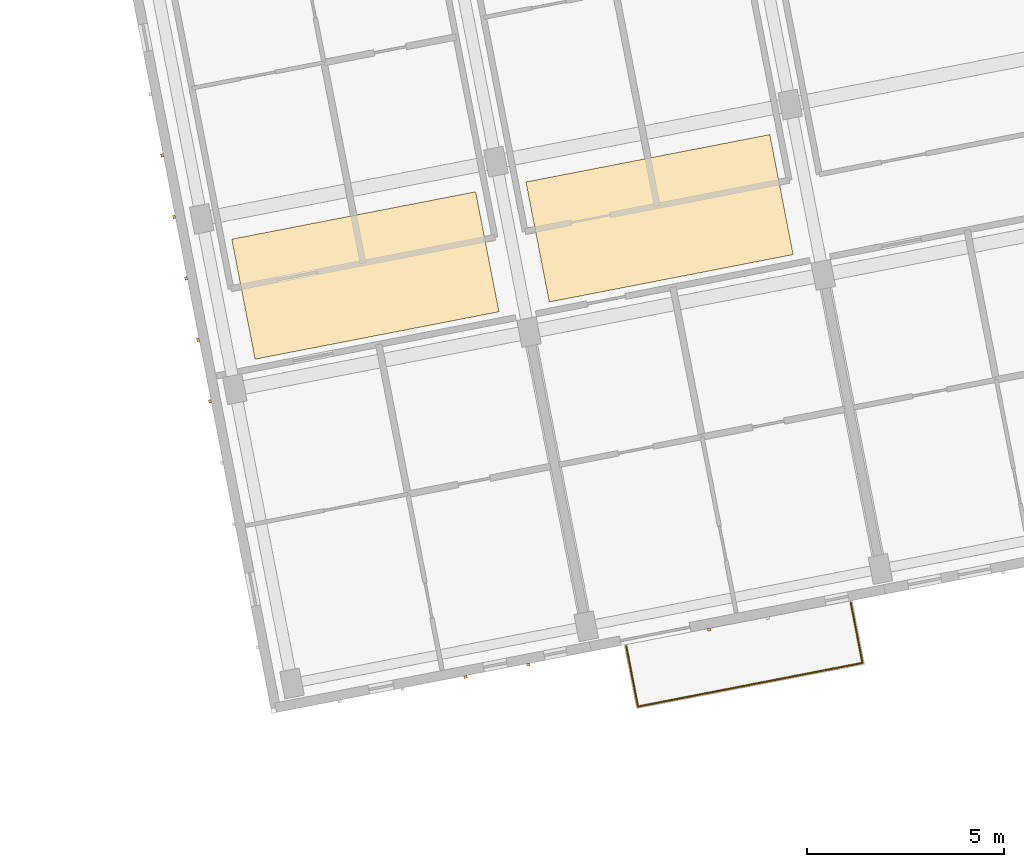
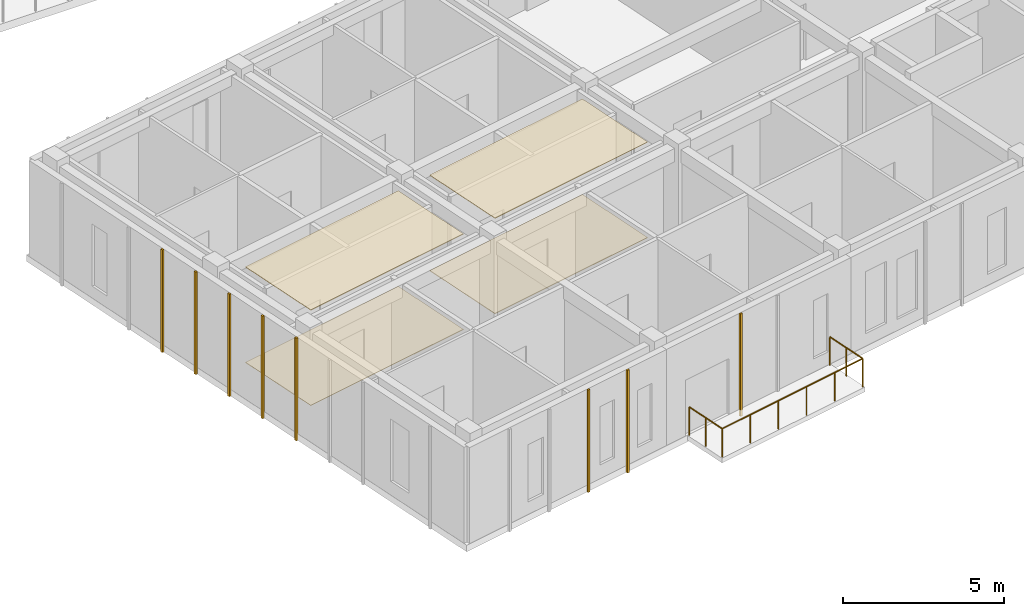
# One storey, part 119 of 150: 12 coverings, 1 railing.
"""IFC4 building model written with IfcOpenShell, lengths in metres."""

from ifc_helpers import new_model, si_unit, direction, frame, origin, origin_2d, place, context, subcontext, project, spatial, polyline, rectangle, circle, outline, extrude, material, layer, layer_set, type_object, element, save


model = new_model("IFC4")

# Units and contexts
model_context = context("Model", 3, precision=1e-05, world=origin(), true_north=direction((0.0, 1.0)))
body_context = subcontext(model_context, "Body", "Model", "MODEL_VIEW")
ifc_project = project(units=[si_unit("LENGTHUNIT", "METRE"), si_unit("AREAUNIT", "SQUARE_METRE"), si_unit("VOLUMEUNIT", "CUBIC_METRE"), si_unit("PLANEANGLEUNIT", "RADIAN"), si_unit("MASSUNIT", "GRAM", prefix="KILO")], contexts=[model_context])

# Site, building, storey
site_placement = place(None, origin())
site = spatial("IfcSite", under=ifc_project, at=site_placement, CompositionType="ELEMENT")
building_placement = place(site_placement, origin())
building = spatial("IfcBuilding", under=site, at=building_placement, Name="Kestramere Prow Commons", CompositionType="ELEMENT")
storey_placement = place(building_placement, frame((0.0, 0.0, 4.5)))
storey = spatial("IfcBuildingStorey", under=building, at=storey_placement, Name="L01", CompositionType="ELEMENT", Elevation=4.5)

# Coverings
ifc_material_1 = material(Name="Mineral Fibre Acoustic Ceiling Tile")
ifc_layer_1 = layer(ifc_material_1, 0.02490234375)
ifc_layer_set_1 = layer_set([ifc_layer_1], Name="Mineral Fibre Acoustic Ceiling Tile")
covering_type_1 = type_object("IfcCoveringType", Name="COV-CEIL-ACOUSTIC", PredefinedType="CEILING", material=ifc_layer_set_1)
covering_1_placement = place(storey_placement, frame((0.0, 0.0, 3.625)))
element("IfcCovering", 1, at=covering_1_placement, inside=storey, type_object=covering_type_1, Name="Block D L01 Corridor Acoustic Ceiling 1", PredefinedType="CEILING", context=body_context, shape_type="SweptSolid", body=[
    extrude(outline(polyline([(117.4638671875, 42.222412109375), (123.648193359375, 43.424560546875), (123.056640625, 46.467529296875), (116.872314453125, 45.265380859375), (117.4638671875, 42.222412109375)])), origin(), (0.0, 0.0, 1.0), 0.02490234375),
])
covering_2_placement = place(storey_placement, frame((0.0, 0.0, 3.625)))
element("IfcCovering", 2, at=covering_2_placement, inside=storey, type_object=covering_type_1, Name="Block D L01 Corridor Acoustic Ceiling 2", PredefinedType="CEILING", context=body_context, shape_type="SweptSolid", body=[
    extrude(outline(polyline([(124.92431640625, 43.672607421875), (131.1083984375, 44.874755859375), (130.51708984375, 47.917724609375), (124.332763671875, 46.715576171875), (124.92431640625, 43.672607421875)])), origin(), (0.0, 0.0, 1.0), 0.02490234375),
])
ifc_material_2 = material(Name="Weathered Zinc-Titanium Standing-Seam Cladding")
ifc_layer_2 = layer(ifc_material_2, 0.074951171875)
ifc_layer_set_2 = layer_set([ifc_layer_2], Name="Weathered Zinc-Titanium Standing-Seam Cladding")
covering_type_2 = type_object("IfcCoveringType", Name="COV-CLAD-SEAM", PredefinedType="CLADDING", material=ifc_layer_set_2)
for number, where, z_axis, x_axis, name in (
    (3, (124.39453125, 34.47509765625, -0.25), (0.0, 0.0, 1.0), (-0.981627183448, -0.190808995377, 0.0), "EW-D-L01-S-0 Standing-Seam Rib 1"),
    (4, (122.79931640625, 34.1650390625, -0.25), (0.0, 0.0, 1.0), (-0.981627183448, -0.190808995377, 0.0), "EW-D-L01-S-0 Standing-Seam Rib 2"),
    (5, (128.973876953125, 35.365234375, -0.25), (0.0, 0.0, 1.0), (-0.981627183448, -0.190808995377, 0.0), "EW-D-L01-S-1 Standing-Seam Rib 3"),
    (6, (116.319580078125, 41.15185546875, -0.25), (0.0, 0.0, 1.0), (-0.190808995377, 0.981627183448, 0.0), "EW-D-L01-EAV Standing-Seam Rib 5"),
    (7, (116.0166015625, 42.7109375, -0.25), (0.0, 0.0, 1.0), (-0.190808995377, 0.981627183448, 0.0), "EW-D-L01-EAV Standing-Seam Rib 6"),
    (8, (115.71337890625, 44.270263671875, -0.25), (0.0, 0.0, 1.0), (-0.190808995377, 0.981627183448, 0.0), "EW-D-L01-EAV Standing-Seam Rib 7"),
    (9, (115.410400390625, 45.82958984375, -0.25), (0.0, 0.0, 1.0), (-0.190808995377, 0.981627183448, 0.0), "EW-D-L01-EAV Standing-Seam Rib 8"),
    (10, (115.107177734375, 47.388916015625, -0.25), (0.0, 0.0, 1.0), (-0.190808995377, 0.981627183448, 0.0), "EW-D-L01-EAV Standing-Seam Rib 9"),
):
    element("IfcCovering", number, at=place(storey_placement, frame(where, z_axis=z_axis, x_axis=x_axis)), inside=storey, type_object=covering_type_2, Name=name, PredefinedType="CLADDING", context=body_context, shape_type="SweptSolid", body=[
        extrude(rectangle(XDim=0.0849609375, YDim=0.06494140625, at=origin_2d()), origin(), (0.0, 0.0, 1.0), 3.89990234375),
    ])
ifc_material_3 = material(Name="Honed Cementitious Terrazzo Tile")
ifc_layer_3 = layer(ifc_material_3, 0.02001953125)
ifc_layer_set_3 = layer_set([ifc_layer_3], Name="Honed Cementitious Terrazzo Tile")
covering_type_3 = type_object("IfcCoveringType", Name="COV-FLOOR-TERRAZZO", PredefinedType="FLOORING", material=ifc_layer_set_3)
covering_3_placement = place(storey_placement, origin())
element("IfcCovering", 11, at=covering_3_placement, inside=storey, type_object=covering_type_3, Name="Block D L01 Corridor Terrazzo Flooring 1", PredefinedType="FLOORING", context=body_context, shape_type="SweptSolid", body=[
    extrude(outline(polyline([(117.4638671875, 42.222412109375), (123.648193359375, 43.424560546875), (123.056640625, 46.467529296875), (116.872314453125, 45.265380859375), (117.4638671875, 42.222412109375)])), origin(), (0.0, 0.0, 1.0), 0.02001953125),
])
covering_4_placement = place(storey_placement, origin())
element("IfcCovering", 12, at=covering_4_placement, inside=storey, type_object=covering_type_3, Name="Block D L01 Corridor Terrazzo Flooring 2", PredefinedType="FLOORING", context=body_context, shape_type="SweptSolid", body=[
    extrude(outline(polyline([(124.92431640625, 43.672607421875), (131.1083984375, 44.874755859375), (130.51708984375, 47.917724609375), (124.332763671875, 46.715576171875), (124.92431640625, 43.672607421875)])), origin(), (0.0, 0.0, 1.0), 0.02001953125),
])

# Railing
ifc_material_4 = material(Name="Powder-Coated Aluminium 6063-T6", Category="aluminium")
railing_type = type_object("IfcRailingType", Name="GRD-BALC-1100", PredefinedType="BALUSTRADE", material=ifc_material_4)
railing_placement = place(storey_placement, frame((126.87548828125, 34.944580078125, 0.0)))
element("IfcRailing", 13, at=railing_placement, inside=storey, type_object=railing_type, Name="Block D L01 Balcony Guardrail 2", PredefinedType="BALUSTRADE", context=body_context, shape_type="SweptSolid", body=[
    extrude(circle(Radius=0.02392578125, at=origin_2d()), frame((0.0, 0.0, 1.076171875), z_axis=(0.19078587602, -0.981631677113, 0.0), x_axis=(0.981631677113, 0.19078587602, 0.0)), (0.0, 0.0, 1.0), 1.559814453125),
    extrude(circle(Radius=0.02392578125, at=origin_2d()), frame((0.297607421875, -1.53125, 1.076171875), z_axis=(0.981628312332, 0.190803187676, 0.0), x_axis=(-0.190803187676, 0.981628312332, 0.0)), (0.0, 0.0, 1.0), 5.800048828125),
    extrude(circle(Radius=0.02392578125, at=origin_2d()), frame((5.9912109375, -0.424560546875, 1.076171875), z_axis=(-0.190936682564, 0.981602354954, 0.0), x_axis=(-0.981602354954, -0.190936682564, 0.0)), (0.0, 0.0, 1.0), 1.56005859375),
    extrude(circle(Radius=0.02099609375, at=origin_2d()), origin(), (0.0, 0.0, 1.0), 1.052001953125),
    extrude(circle(Radius=0.02099609375, at=origin_2d()), frame((0.14892578125, -0.765625, 0.0)), (0.0, 0.0, 1.0), 1.052001953125),
    extrude(circle(Radius=0.02099609375, at=origin_2d()), frame((0.297607421875, -1.53125, 0.0)), (0.0, 0.0, 1.0), 1.052001953125),
    extrude(circle(Radius=0.02099609375, at=origin_2d()), frame((1.436279296875, -1.309814453125, 0.0)), (0.0, 0.0, 1.0), 1.052001953125),
    extrude(circle(Radius=0.02099609375, at=origin_2d()), frame((2.574951171875, -1.088623046875, 0.0)), (0.0, 0.0, 1.0), 1.052001953125),
    extrude(circle(Radius=0.02099609375, at=origin_2d()), frame((3.7138671875, -0.8671875, 0.0)), (0.0, 0.0, 1.0), 1.052001953125),
    extrude(circle(Radius=0.02099609375, at=origin_2d()), frame((4.8525390625, -0.64599609375, 0.0)), (0.0, 0.0, 1.0), 1.052001953125),
    extrude(circle(Radius=0.02099609375, at=origin_2d()), frame((5.9912109375, -0.424560546875, 0.0)), (0.0, 0.0, 1.0), 1.052001953125),
    extrude(circle(Radius=0.02099609375, at=origin_2d()), frame((5.84228515625, 0.341064453125, 0.0)), (0.0, 0.0, 1.0), 1.052001953125),
    extrude(circle(Radius=0.02099609375, at=origin_2d()), frame((5.693359375, 1.106689453125, 0.0)), (0.0, 0.0, 1.0), 1.052001953125),
])

save(model, "model.ifc")
